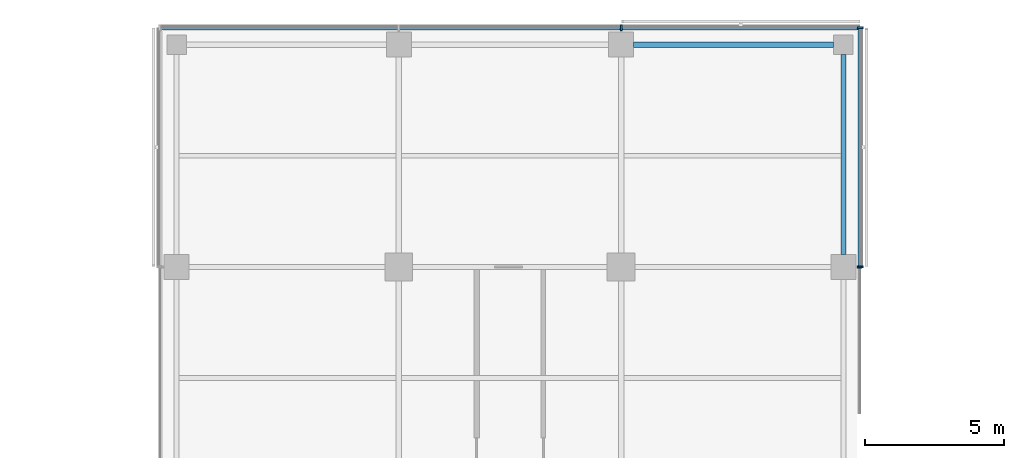
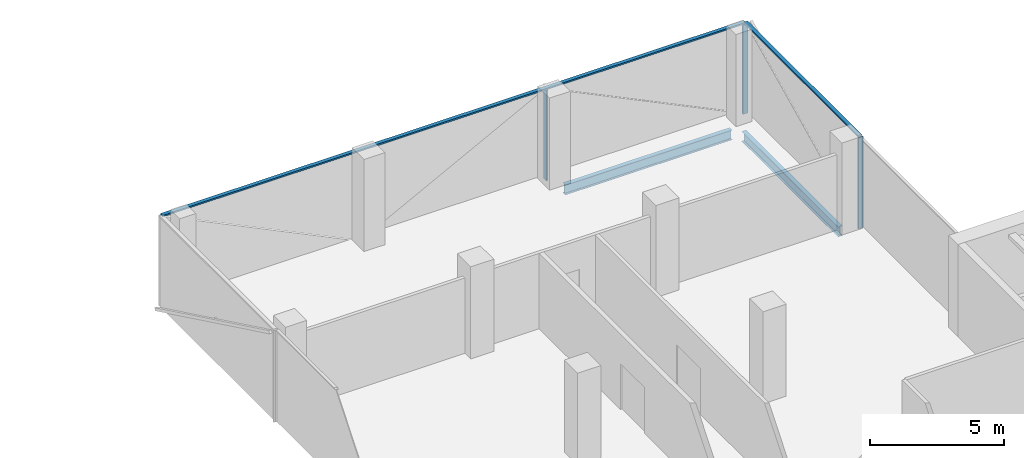
# One storey, part 10 of 22: 6 members, 2 beams, 3 elements without a shape of their own.
"""IFC4 building model written with IfcOpenShell, lengths in metres."""

from ifc_helpers import new_model, si_unit, direction, frame, origin, origin_2d, place, context, subcontext, project, spatial, rectangle, i_section, extrude, material, material_profile, profile_set, type_object, element, aggregate, save


model = new_model("IFC4")

# Units and contexts
model_context = context("Model", 3, precision=1e-05, world=origin(), true_north=direction((0.0, 1.0)))
body_context = subcontext(model_context, "Body", "Model", "MODEL_VIEW")
ifc_project = project(units=[si_unit("LENGTHUNIT", "METRE"), si_unit("AREAUNIT", "SQUARE_METRE"), si_unit("VOLUMEUNIT", "CUBIC_METRE"), si_unit("PLANEANGLEUNIT", "RADIAN"), si_unit("MASSUNIT", "GRAM", prefix="KILO")], contexts=[model_context])

# Site, building, storey
site_placement = place(None, origin())
site = spatial("IfcSite", under=ifc_project, at=site_placement, CompositionType="ELEMENT")
building_placement = place(site_placement, origin())
building = spatial("IfcBuilding", under=site, at=building_placement, Name="Crosswind Convention Tower", CompositionType="ELEMENT")
storey_placement = place(building_placement, frame((0.0, 0.0, 121.10009765625)))
storey = spatial("IfcBuildingStorey", under=building, at=storey_placement, Name="L24", CompositionType="ELEMENT", Elevation=121.10009765625)

# Beams
ifc_material_1 = material(Name="Steel S355", Category="steel")
ifc_material_profile_1 = material_profile(ifc_material_1, i_section(OverallWidth=0.18994140625, OverallDepth=0.45361328125, WebThickness=0.008544921875, FlangeThickness=0.0126953125, FilletRadius=0.01025390625, at=origin_2d()), Name="UB 457x191x67")
ifc_profile_set_1 = profile_set([ifc_material_profile_1], Name="Steel S355")
beam_type = type_object("IfcBeamType", Name="Edge beam UB 457x191x67", PredefinedType="SPANDREL", material=ifc_profile_set_1)
for number, where, z_axis, x_axis, name in (
    (1, (129.449951171875, 128.0, -0.52685546875), (1.0, 0.0, 0.0), (0.0, 1.0, 0.0), "B16 L24 edge beam 15"),
    (2, (137.0, 120.449951171875, -0.52685546875), (0.0, 1.0, 0.0), (-1.0, 0.0, 0.0), "B16 L24 edge beam 19"),
):
    element("IfcBeam", number, at=place(storey_placement, frame(where, z_axis=z_axis, x_axis=x_axis)), inside=storey, type_object=beam_type, Name=name, PredefinedType="SPANDREL", context=body_context, shape_type="SweptSolid", body=[
        extrude(i_section(OverallWidth=0.18994140625, OverallDepth=0.45361328125, WebThickness=0.008544921875, FlangeThickness=0.0126953125, FilletRadius=0.01025390625, at=origin_2d()), origin(), (0.0, 0.0, 1.0), 7.199951171875),
    ])

# Curtain wall, member
ifc_material_2 = material(Name="Aluminium unitised curtain wall", Category="aluminium")
curtain_wall_type_1 = type_object("IfcCurtainWallType", Name="CORE END SLOT WALL 160", PredefinedType="USERDEFINED", material=ifc_material_2)
curtain_wall_1_placement = place(storey_placement, origin())
curtain_wall_1 = element("IfcCurtainWall", 3, at=curtain_wall_1_placement, inside=storey, type_object=curtain_wall_type_1, Name="CW6 L24 N-E.1-1 slot", ObjectType="UNITISED", PredefinedType="USERDEFINED")
ifc_material_3 = material(Name="Aluminium mullion", Category="aluminium")
ifc_material_profile_2 = material_profile(ifc_material_3, rectangle(XDim=0.159912109375, YDim=0.050048828125, at=origin_2d()), Name="AL 160X50")
ifc_profile_set_2 = profile_set([ifc_material_profile_2], Name="Aluminium mullion")
member_type_1 = type_object("IfcMemberType", Name="MULLION 50X160", PredefinedType="MULLION", material=ifc_profile_set_2)
member_1_placement = place(storey_placement, frame((137.580078125, 119.97509765625, -0.300048828125), z_axis=(0.0, 0.0, 1.0), x_axis=(1.0, 0.0, 0.0)))
member_1 = element("IfcMember", 4, at=member_1_placement, type_object=member_type_1, Name="CW6 mullion 2", PredefinedType="MULLION", context=body_context, shape_type="SweptSolid", body=[
    extrude(rectangle(XDim=0.159912109375, YDim=0.050048828125, at=origin_2d()), origin(), (0.0, 0.0, 1.0), 4.14990234375),
])
aggregate(curtain_wall_1, [member_1])

# Curtain wall, members
curtain_wall_type_2 = type_object("IfcCurtainWallType", Name="OFFICE UNITISED WALL 220", PredefinedType="USERDEFINED", material=ifc_material_2)
curtain_wall_2_placement = place(storey_placement, origin())
curtain_wall_2 = element("IfcCurtainWall", 5, at=curtain_wall_2_placement, inside=storey, type_object=curtain_wall_type_2, Name="CW3 L24 N-E 1", ObjectType="UNITISED", PredefinedType="USERDEFINED")
ifc_material_profile_3 = material_profile(ifc_material_3, rectangle(XDim=0.219970703125, YDim=0.070068359375, at=origin_2d()), Name="AL 220X70")
ifc_profile_set_3 = profile_set([ifc_material_profile_3], Name="Aluminium mullion")
member_type_2 = type_object("IfcMemberType", Name="MULLION 70X220", PredefinedType="MULLION", material=ifc_profile_set_3)
member_2_placement = place(storey_placement, frame((137.610107421875, 120.0, -0.300048828125), z_axis=(0.0, 0.0, 1.0), x_axis=(1.0, 0.0, 0.0)))
member_2 = element("IfcMember", 6, at=member_2_placement, type_object=member_type_2, Name="CW3 mullion 1", PredefinedType="MULLION", context=body_context, shape_type="SweptSolid", body=[
    extrude(rectangle(XDim=0.219970703125, YDim=0.070068359375, at=origin_2d()), origin(), (0.0, 0.0, 1.0), 4.1298828125),
])
member_3_placement = place(storey_placement, frame((137.610107421875, 128.610107421875, -0.300048828125), z_axis=(0.0, 0.0, 1.0), x_axis=(1.0, 0.0, 0.0)))
member_3 = element("IfcMember", 7, at=member_3_placement, type_object=member_type_2, Name="CW3 mullion 2", PredefinedType="MULLION", context=body_context, shape_type="SweptSolid", body=[
    extrude(rectangle(XDim=0.219970703125, YDim=0.070068359375, at=origin_2d()), origin(), (0.0, 0.0, 1.0), 4.1298828125),
])

# Curtain wall, member
curtain_wall_3_placement = place(storey_placement, origin())
curtain_wall_3 = element("IfcCurtainWall", 8, at=curtain_wall_3_placement, inside=storey, type_object=curtain_wall_type_2, Name="CW3 L24 N-TIP 1", ObjectType="UNITISED", PredefinedType="USERDEFINED")
member_4_placement = place(storey_placement, frame((129.0, 128.610107421875, -0.300048828125), z_axis=(0.0, 0.0, 1.0), x_axis=(0.0, 1.0, 0.0)))
member_4 = element("IfcMember", 9, at=member_4_placement, type_object=member_type_2, Name="CW3 mullion 2", PredefinedType="MULLION", context=body_context, shape_type="SweptSolid", body=[
    extrude(rectangle(XDim=0.219970703125, YDim=0.070068359375, at=origin_2d()), origin(), (0.0, 0.0, 1.0), 4.1298828125),
])

# Member
ifc_material_4 = material(Name="Aluminium transom", Category="aluminium")
ifc_material_profile_4 = material_profile(ifc_material_4, rectangle(XDim=0.159912109375, YDim=0.070068359375, at=origin_2d()), Name="AL 160X70")
ifc_profile_set_4 = profile_set([ifc_material_profile_4], Name="Aluminium transom")
member_type_3 = type_object("IfcMemberType", Name="TRANSOM 70X160", PredefinedType="USERDEFINED", material=ifc_profile_set_4)
member_5_placement = place(storey_placement, frame((137.610107421875, 120.034912109375, 3.864990234375), z_axis=(0.0, 1.0, 0.0), x_axis=(-1.0, 0.0, 0.0)))
member_5 = element("IfcMember", 10, at=member_5_placement, type_object=member_type_3, Name="CW3 transom", ObjectType="TRANSOM", PredefinedType="USERDEFINED", context=body_context, shape_type="SweptSolid", body=[
    extrude(rectangle(XDim=0.159912109375, YDim=0.070068359375, at=origin_2d()), origin(), (0.0, 0.0, 1.0), 8.5400390625),
])

aggregate(curtain_wall_2, [member_2, member_3, member_5])

member_6_placement = place(storey_placement, frame((137.574951171875, 128.610107421875, 3.864990234375), z_axis=(-1.0, 0.0, 0.0), x_axis=(0.0, -1.0, 0.0)))
member_6 = element("IfcMember", 11, at=member_6_placement, type_object=member_type_3, Name="CW3 transom", ObjectType="TRANSOM", PredefinedType="USERDEFINED", context=body_context, shape_type="SweptSolid", body=[
    extrude(rectangle(XDim=0.159912109375, YDim=0.070068359375, at=origin_2d()), origin(), (0.0, 0.0, 1.0), 25.14990234375),
])

aggregate(curtain_wall_3, [member_4, member_6])

save(model, "model.ifc")
